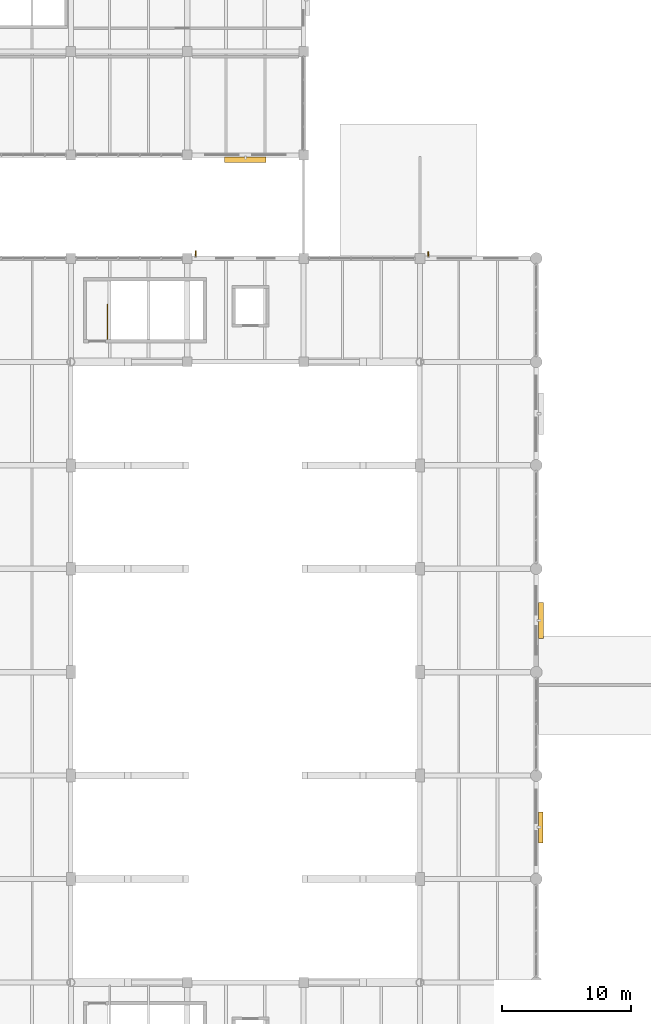
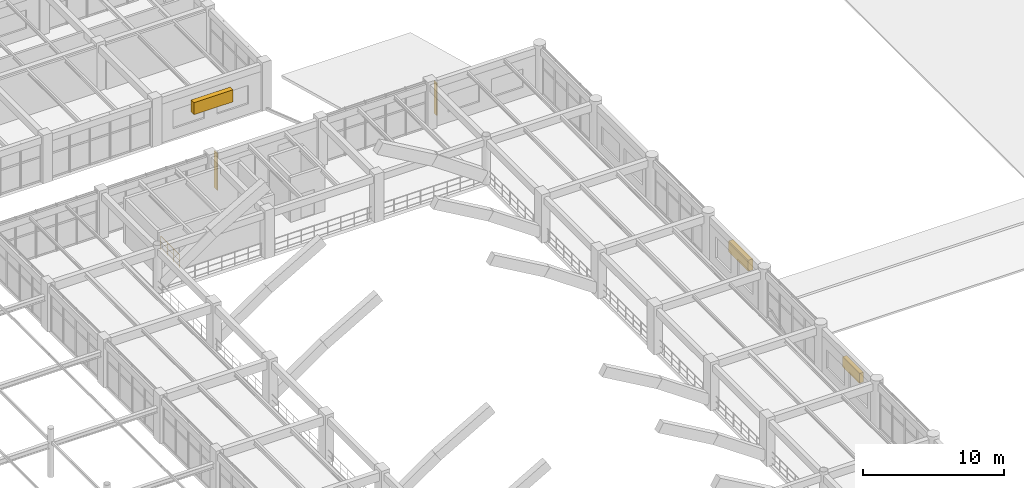
# One storey, part 141 of 148: 5 shading devices, 1 railing.
"""IFC4 building model written with IfcOpenShell, lengths in metres."""

from ifc_helpers import new_model, si_unit, derived_unit, direction, frame, origin, origin_2d, place, context, subcontext, project, spatial, rectangle, circle, extrude, material, type_object, element, save


model = new_model("IFC4")

# Units and contexts
model_context = context("Model", 3, precision=1e-05, world=origin(), true_north=direction((0.0, 1.0)))
body_context = subcontext(model_context, "Body", "Model", "MODEL_VIEW")
ifc_project = project(units=[si_unit("LENGTHUNIT", "METRE"), si_unit("AREAUNIT", "SQUARE_METRE"), si_unit("VOLUMEUNIT", "CUBIC_METRE"), si_unit("PLANEANGLEUNIT", "RADIAN"), si_unit("MASSUNIT", "GRAM", prefix="KILO"), derived_unit("THERMALTRANSMITTANCEUNIT", [(si_unit("MASSUNIT", "GRAM", prefix="KILO"), 1), (si_unit("TIMEUNIT", "SECOND"), -3), (si_unit("THERMODYNAMICTEMPERATUREUNIT", "KELVIN"), -1)])], contexts=[model_context])

# Site, building, storey
site_placement = place(None, origin())
site = spatial("IfcSite", under=ifc_project, at=site_placement, CompositionType="ELEMENT")
building_placement = place(site_placement, origin())
building = spatial("IfcBuilding", under=site, at=building_placement, Name="Zhenchuan Archway Interchange", CompositionType="ELEMENT")
storey_placement = place(building_placement, frame((0.0, 0.0, 10.199951171875)))
storey = spatial("IfcBuildingStorey", under=building, at=storey_placement, Name="L02", CompositionType="ELEMENT", Elevation=10.199951171875)

# Railing
ifc_material_1 = material(Name="Painted Galvanised Steel", Category="steel")
railing_type = type_object("IfcRailingType", Name="RL_GUARD_1150", PredefinedType="GUARDRAIL", material=ifc_material_1)
railing_placement = place(storey_placement, frame((38.8349609375, 81.764892578125, 0.0)))
element("IfcRailing", 1, at=railing_placement, inside=storey, type_object=railing_type, Name="Stair ST-M2 top landing guard (L02)", PredefinedType="GUARDRAIL", context=body_context, shape_type="SweptSolid", body=[
    extrude(circle(Radius=0.02392578125, at=origin_2d()), frame((0.0, 0.0, 1.1259765625), z_axis=(0.0, 1.0, 0.0), x_axis=(-1.0, 0.0, 0.0)), (0.0, 0.0, 1.0), 2.670166015625),
    extrude(circle(Radius=0.01611328125, at=origin_2d()), frame((0.0, 0.0, 0.63232421875), z_axis=(0.0, 1.0, 0.0), x_axis=(-1.0, 0.0, 0.0)), (0.0, 0.0, 1.0), 2.670166015625),
    extrude(circle(Radius=0.01611328125, at=origin_2d()), frame((0.0, 0.0, 0.1201171875), z_axis=(0.0, 1.0, 0.0), x_axis=(-1.0, 0.0, 0.0)), (0.0, 0.0, 1.0), 2.670166015625),
    extrude(circle(Radius=0.02099609375, at=origin_2d()), origin(), (0.0, 0.0, 1.0), 1.1259765625),
    extrude(circle(Radius=0.02099609375, at=origin_2d()), frame((0.0, 0.89013671875, 0.0)), (0.0, 0.0, 1.0), 1.1259765625),
    extrude(circle(Radius=0.02099609375, at=origin_2d()), frame((0.0, 1.780029296875, 0.0)), (0.0, 0.0, 1.0), 1.1259765625),
    extrude(circle(Radius=0.02099609375, at=origin_2d()), frame((0.0, 2.670166015625, 0.0)), (0.0, 0.0, 1.0), 1.1259765625),
])

# Shading devices
ifc_material_2 = material(Name="Terracotta Ceramic", Category="masonry")
shading_device_type_1 = type_object("IfcShadingDeviceType", Name="SHD_FIN_1", PredefinedType="USERDEFINED", material=ifc_material_2)
shading_device_1_placement = place(storey_placement, frame((45.653076171875, 88.3740234375, 0.4599609375), z_axis=(0.0, 0.0, 1.0), x_axis=(1.0, 0.0, 0.0)))
element("IfcShadingDevice", 2, at=shading_device_1_placement, inside=storey, type_object=shading_device_type_1, Name="Terracotta vertical solar fin L02-069", ObjectType="FINS", PredefinedType="USERDEFINED", context=body_context, shape_type="SweptSolid", body=[
    extrude(rectangle(XDim=0.090087890625, YDim=0.419921875, at=origin_2d()), origin(), (0.0, 0.0, 1.0), 3.199951171875),
])
shading_device_type_2 = type_object("IfcShadingDeviceType", Name="SHD_FIN_2", PredefinedType="USERDEFINED", material=ifc_material_2)
shading_device_2_placement = place(storey_placement, frame((63.653076171875, 88.343994140625, 0.66015625), z_axis=(0.0, 0.0, 1.0), x_axis=(1.0, 0.0, 0.0)))
element("IfcShadingDevice", 3, at=shading_device_2_placement, inside=storey, type_object=shading_device_type_2, Name="Terracotta vertical solar fin L02-070", ObjectType="FINS", PredefinedType="USERDEFINED", context=body_context, shape_type="SweptSolid", body=[
    extrude(rectangle(XDim=0.080078125, YDim=0.360107421875, at=origin_2d()), origin(), (0.0, 0.0, 1.0), 2.800048828125),
])
ifc_material_3 = material(Name="Anodised Aluminium", Category="aluminium")
shading_device_type_3 = type_object("IfcShadingDeviceType", Name="SHD_LOUVRE_1", PredefinedType="JALOUSIE", material=ifc_material_3)
shading_device_3_placement = place(storey_placement, frame((72.35400390625, 60.0, 2.0751953125), z_axis=(0.0, 0.0, 1.0), x_axis=(0.0, -1.0, 0.0)))
element("IfcShadingDevice", 4, at=shading_device_3_placement, inside=storey, type_object=shading_device_type_3, Name="Monsoon storm-louvre jalousie L02-072", PredefinedType="JALOUSIE", context=body_context, shape_type="SweptSolid", body=[
    extrude(rectangle(XDim=2.800048828125, YDim=0.3798828125, at=origin_2d()), origin(), (0.0, 0.0, 1.0), 0.949951171875),
])
shading_device_type_4 = type_object("IfcShadingDeviceType", Name="SHD_LOUVRE_2", PredefinedType="JALOUSIE", material=ifc_material_3)
shading_device_4_placement = place(storey_placement, frame((72.333984375, 44.0, 1.925048828125), z_axis=(0.0, 0.0, 1.0), x_axis=(0.0, -1.0, 0.0)))
element("IfcShadingDevice", 5, at=shading_device_4_placement, inside=storey, type_object=shading_device_type_4, Name="Monsoon storm-louvre jalousie L02-073", PredefinedType="JALOUSIE", context=body_context, shape_type="SweptSolid", body=[
    extrude(rectangle(XDim=2.39990234375, YDim=0.340087890625, at=origin_2d()), origin(), (0.0, 0.0, 1.0), 0.85009765625),
])
shading_device_type_5 = type_object("IfcShadingDeviceType", Name="SHD_LOUVRE_3", PredefinedType="JALOUSIE", material=ifc_material_3)
shading_device_5_placement = place(storey_placement, frame((49.5, 95.635986328125, 1.8251953125), z_axis=(0.0, 0.0, 1.0), x_axis=(-1.0, 0.0, 0.0)))
element("IfcShadingDevice", 6, at=shading_device_5_placement, inside=storey, type_object=shading_device_type_5, Name="Monsoon storm-louvre jalousie L02-077", PredefinedType="JALOUSIE", context=body_context, shape_type="SweptSolid", body=[
    extrude(rectangle(XDim=3.199951171875, YDim=0.39990234375, at=origin_2d()), origin(), (0.0, 0.0, 1.0), 1.050048828125),
])

save(model, "model.ifc")
